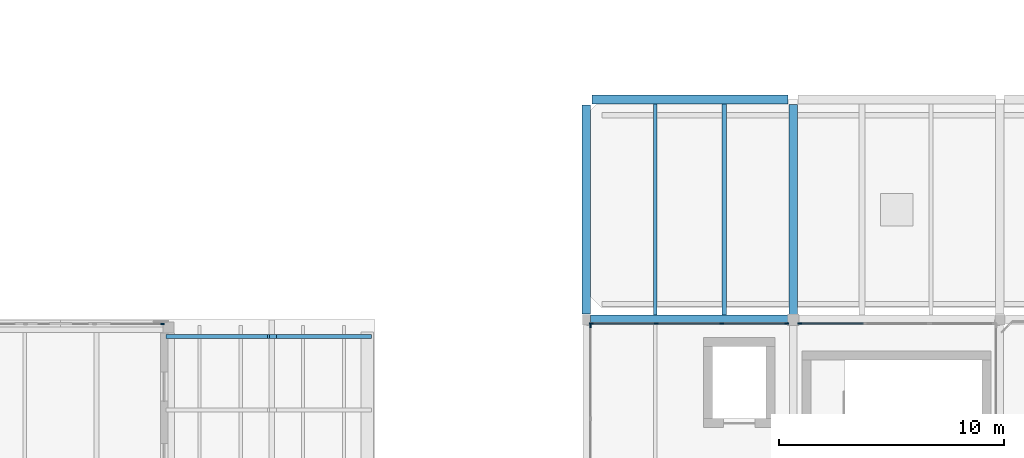
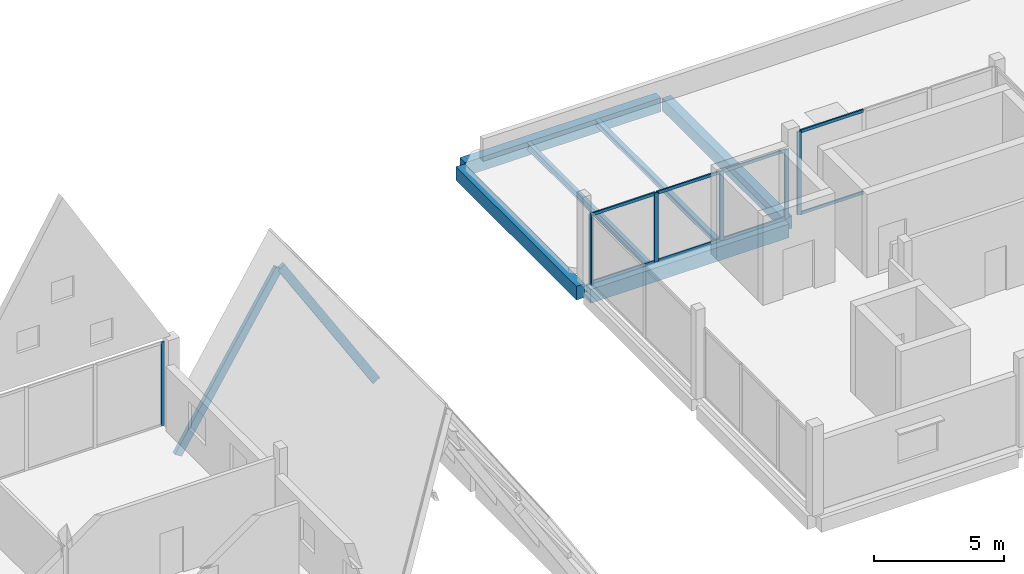
# One storey, part 8 of 23: 17 members, 6 beams, 4 elements without a shape of their own.
"""IFC4 building model written with IfcOpenShell, lengths in metres."""

from ifc_helpers import new_model, si_unit, direction, frame, origin, origin_2d, place, context, subcontext, project, spatial, rectangle, i_section, extrude, material, layer, layer_set, material_profile, profile_set, type_object, element, aggregate, save


model = new_model("IFC4")

# Units and contexts
model_context = context("Model", 3, precision=1e-05, world=origin(), true_north=direction((0.0, 1.0)))
body_context = subcontext(model_context, "Body", "Model", "MODEL_VIEW")
ifc_project = project(units=[si_unit("LENGTHUNIT", "METRE"), si_unit("AREAUNIT", "SQUARE_METRE"), si_unit("VOLUMEUNIT", "CUBIC_METRE"), si_unit("PLANEANGLEUNIT", "RADIAN"), si_unit("MASSUNIT", "GRAM", prefix="KILO")], contexts=[model_context])

# Site, building, storey
site_placement = place(None, origin())
site = spatial("IfcSite", under=ifc_project, at=site_placement, CompositionType="ELEMENT")
building_placement = place(site_placement, origin())
building = spatial("IfcBuilding", under=site, at=building_placement, Name="Birchvale Park Specialist Clinic", CompositionType="ELEMENT")
storey_placement = place(building_placement, frame((0.0, 0.0, 18.0)))
storey = spatial("IfcBuildingStorey", under=building, at=storey_placement, Name="L04", CompositionType="ELEMENT", Elevation=18.0)

# Beams
ifc_material_1 = material(Name="Concrete C40/50", Category="concrete")
ifc_material_profile_1 = material_profile(ifc_material_1, rectangle(XDim=0.3798828125, YDim=0.639892578125, at=origin_2d()), Name="RCB-380x640")
ifc_profile_set_1 = profile_set([ifc_material_profile_1], Name="Concrete C40/50")
beam_type_1 = type_object("IfcBeamType", Name="BM-EXT-BG5", PredefinedType="BEAM", material=ifc_profile_set_1)
beam_1_placement = place(storey_placement, frame((128.0, 34.85009765625, -0.594970703125), z_axis=(0.0, 1.0, 0.0), x_axis=(-1.0, 0.0, 0.0)))
element("IfcBeam", 1, at=beam_1_placement, inside=storey, type_object=beam_type_1, Name="V5 L04 Y girder 15", PredefinedType="BEAM", context=body_context, shape_type="SweptSolid", body=[
    extrude(rectangle(XDim=0.3798828125, YDim=0.639892578125, at=origin_2d()), origin(), (0.0, 0.0, 1.0), 9.2998046875),
])
ifc_material_profile_2 = material_profile(ifc_material_1, rectangle(XDim=0.39990234375, YDim=0.64990234375, at=origin_2d()), Name="RCB-400x650")
ifc_profile_set_2 = profile_set([ifc_material_profile_2], Name="Concrete C40/50")
beam_type_2 = type_object("IfcBeamType", Name="BM-INT-BG4", PredefinedType="BEAM", material=ifc_profile_set_2)
beam_2_placement = place(storey_placement, frame((128.175048828125, 34.60009765625, -0.60498046875), z_axis=(1.0, 0.0, 0.0), x_axis=(0.0, 1.0, 0.0)))
element("IfcBeam", 2, at=beam_2_placement, inside=storey, type_object=beam_type_2, Name="V5 L04 X girder 7", PredefinedType="BEAM", context=body_context, shape_type="SweptSolid", body=[
    extrude(rectangle(XDim=0.39990234375, YDim=0.64990234375, at=origin_2d()), origin(), (0.0, 0.0, 1.0), 8.849853515625),
])
beam_3_placement = place(storey_placement, frame((128.25, 44.39990234375, -0.60009765625), z_axis=(1.0, 0.0, 0.0), x_axis=(0.0, 1.0, 0.0)))
element("IfcBeam", 3, at=beam_3_placement, inside=storey, type_object=beam_type_2, Name="V5 L04 X girder 10", PredefinedType="BEAM", context=body_context, shape_type="SweptSolid", body=[
    extrude(rectangle(XDim=0.39990234375, YDim=0.64990234375, at=origin_2d()), origin(), (0.0, 0.0, 1.0), 8.72509765625),
])
ifc_material_profile_3 = material_profile(ifc_material_1, rectangle(XDim=0.3798828125, YDim=0.60009765625, at=origin_2d()), Name="RCB-380x600")
ifc_profile_set_3 = profile_set([ifc_material_profile_3], Name="Concrete C40/50")
beam_type_3 = type_object("IfcBeamType", Name="BM-INT-BG5", PredefinedType="BEAM", material=ifc_profile_set_3)
beam_4_placement = place(storey_placement, frame((137.199951171875, 34.824951171875, -0.574951171875), z_axis=(0.0, 1.0, 0.0), x_axis=(-1.0, 0.0, 0.0)))
element("IfcBeam", 4, at=beam_4_placement, inside=storey, type_object=beam_type_3, Name="V5 L04 Y girder 18", PredefinedType="BEAM", context=body_context, shape_type="SweptSolid", body=[
    extrude(rectangle(XDim=0.3798828125, YDim=0.60009765625, at=origin_2d()), origin(), (0.0, 0.0, 1.0), 9.35009765625),
])

# Curtain wall, member
ifc_material_2 = material(Name="Thermally broken anodised aluminium", Category="aluminium")
ifc_layer_1 = layer(ifc_material_2, 0.179931640625)
ifc_layer_set_1 = layer_set([ifc_layer_1], Name="Thermally broken anodised aluminium")
curtain_wall_type_1 = type_object("IfcCurtainWallType", Name="CW-U1", PredefinedType="USERDEFINED", material=ifc_layer_set_1)
curtain_wall_1_placement = place(storey_placement, origin())
curtain_wall_1 = element("IfcCurtainWall", 5, at=curtain_wall_1_placement, inside=storey, type_object=curtain_wall_type_1, Name="V4 L04 glazed curtain wall 139", ObjectType="UNITISED", PredefinedType="USERDEFINED")
ifc_material_profile_4 = material_profile(ifc_material_2, rectangle(XDim=0.06005859375, YDim=0.159912109375, at=origin_2d()), Name="CWM-60x160")
ifc_profile_set_4 = profile_set([ifc_material_profile_4], Name="Thermally broken anodised aluminium")
member_type_1 = type_object("IfcMemberType", Name="CWM1", PredefinedType="MULLION", material=ifc_profile_set_4)
member_1_placement = place(storey_placement, frame((109.1298828125, 34.409912109375, 0.0), z_axis=(0.0, 0.0, 1.0), x_axis=(0.0, -1.0, 0.0)))
member_1 = element("IfcMember", 6, at=member_1_placement, type_object=member_type_1, Name="CW mullion 1", PredefinedType="MULLION", context=body_context, shape_type="SweptSolid", body=[
    extrude(rectangle(XDim=0.06005859375, YDim=0.159912109375, at=origin_2d()), origin(), (0.0, 0.0, 1.0), 3.93994140625),
])
aggregate(curtain_wall_1, [member_1])

ifc_layer_2 = layer(ifc_material_2, 0.195068359375)
ifc_layer_set_2 = layer_set([ifc_layer_2], Name="Thermally broken anodised aluminium")
curtain_wall_type_2 = type_object("IfcCurtainWallType", Name="CW-U2", PredefinedType="USERDEFINED", material=ifc_layer_set_2)
curtain_wall_2_placement = place(storey_placement, origin())
curtain_wall_2 = element("IfcCurtainWall", 7, at=curtain_wall_2_placement, inside=storey, type_object=curtain_wall_type_2, Name="V5 L04 glazed curtain wall 141", ObjectType="UNITISED", PredefinedType="USERDEFINED")
ifc_material_profile_5 = material_profile(ifc_material_2, rectangle(XDim=0.06494140625, YDim=0.179931640625, at=origin_2d()), Name="CWM-65x180")
ifc_profile_set_5 = profile_set([ifc_material_profile_5], Name="Thermally broken anodised aluminium")
member_type_2 = type_object("IfcMemberType", Name="CWM2", PredefinedType="MULLION", material=ifc_profile_set_5)
member_2_placement = place(storey_placement, frame((137.482421875, 34.425048828125, 0.0), z_axis=(0.0, 0.0, 1.0), x_axis=(0.0, -1.0, 0.0)))
member_2 = element("IfcMember", 8, at=member_2_placement, type_object=member_type_2, Name="CW mullion 4", PredefinedType="MULLION", context=body_context, shape_type="SweptSolid", body=[
    extrude(rectangle(XDim=0.06494140625, YDim=0.179931640625, at=origin_2d()), origin(), (0.0, 0.0, 1.0), 3.919921875),
])

# Curtain wall, members
curtain_wall_3_placement = place(storey_placement, origin())
curtain_wall_3 = element("IfcCurtainWall", 9, at=curtain_wall_3_placement, inside=storey, type_object=curtain_wall_type_2, Name="V5 L04 glazed curtain wall 142", ObjectType="UNITISED", PredefinedType="USERDEFINED")
member_3_placement = place(storey_placement, frame((136.91748046875, 34.425048828125, 0.0), z_axis=(0.0, 0.0, 1.0), x_axis=(0.0, -1.0, 0.0)))
member_3 = element("IfcMember", 10, at=member_3_placement, type_object=member_type_2, Name="CW mullion 1", PredefinedType="MULLION", context=body_context, shape_type="SweptSolid", body=[
    extrude(rectangle(XDim=0.06494140625, YDim=0.179931640625, at=origin_2d()), origin(), (0.0, 0.0, 1.0), 3.260009765625),
])
member_4_placement = place(storey_placement, frame((134.02490234375, 34.425048828125, 0.0), z_axis=(0.0, 0.0, 1.0), x_axis=(0.0, -1.0, 0.0)))
member_4 = element("IfcMember", 11, at=member_4_placement, type_object=member_type_2, Name="CW mullion 2", PredefinedType="MULLION", context=body_context, shape_type="SweptSolid", body=[
    extrude(rectangle(XDim=0.06494140625, YDim=0.179931640625, at=origin_2d()), origin(), (0.0, 0.0, 1.0), 3.260009765625),
])
member_5_placement = place(storey_placement, frame((131.10009765625, 34.425048828125, 0.0), z_axis=(0.0, 0.0, 1.0), x_axis=(0.0, -1.0, 0.0)))
member_5 = element("IfcMember", 12, at=member_5_placement, type_object=member_type_2, Name="CW mullion 3", PredefinedType="MULLION", context=body_context, shape_type="SweptSolid", body=[
    extrude(rectangle(XDim=0.06494140625, YDim=0.179931640625, at=origin_2d()), origin(), (0.0, 0.0, 1.0), 3.260009765625),
])
member_6_placement = place(storey_placement, frame((128.20751953125, 34.425048828125, 0.0), z_axis=(0.0, 0.0, 1.0), x_axis=(0.0, -1.0, 0.0)))
member_6 = element("IfcMember", 13, at=member_6_placement, type_object=member_type_2, Name="CW mullion 4", PredefinedType="MULLION", context=body_context, shape_type="SweptSolid", body=[
    extrude(rectangle(XDim=0.06494140625, YDim=0.179931640625, at=origin_2d()), origin(), (0.0, 0.0, 1.0), 3.260009765625),
])

# Curtain wall, member
curtain_wall_4_placement = place(storey_placement, origin())
curtain_wall_4 = element("IfcCurtainWall", 14, at=curtain_wall_4_placement, inside=storey, type_object=curtain_wall_type_2, Name="V5 L04 glazed curtain wall 143", ObjectType="UNITISED", PredefinedType="USERDEFINED")
member_7_placement = place(storey_placement, frame((128.175048828125, 34.342529296875, 0.0), z_axis=(0.0, 0.0, 1.0), x_axis=(1.0, 0.0, 0.0)))
member_7 = element("IfcMember", 15, at=member_7_placement, type_object=member_type_2, Name="CW mullion 1", PredefinedType="MULLION", context=body_context, shape_type="SweptSolid", body=[
    extrude(rectangle(XDim=0.06494140625, YDim=0.179931640625, at=origin_2d()), origin(), (0.0, 0.0, 1.0), 3.3701171875),
])
aggregate(curtain_wall_4, [member_7])

# Member
ifc_material_profile_6 = material_profile(ifc_material_2, rectangle(XDim=0.06494140625, YDim=0.139892578125, at=origin_2d()), Name="CWT-65x140")
ifc_profile_set_6 = profile_set([ifc_material_profile_6], Name="Thermally broken anodised aluminium")
member_type_3 = type_object("IfcMemberType", Name="CWT2", PredefinedType="USERDEFINED", material=ifc_profile_set_6)
member_8_placement = place(storey_placement, frame((140.325927734375, 34.425048828125, 0.032470703125), z_axis=(-1.0, 0.0, 0.0), x_axis=(0.0, -1.0, 0.0)))
member_8 = element("IfcMember", 16, at=member_8_placement, type_object=member_type_3, Name="CW transom 3.1", ObjectType="TRANSOM", PredefinedType="USERDEFINED", context=body_context, shape_type="SweptSolid", body=[
    extrude(rectangle(XDim=0.06494140625, YDim=0.139892578125, at=origin_2d()), origin(), (0.0, 0.0, 1.0), 2.81103515625),
])

member_9_placement = place(storey_placement, frame((140.325927734375, 34.425048828125, 3.887451171875), z_axis=(-1.0, 0.0, 0.0), x_axis=(0.0, -1.0, 0.0)))
member_9 = element("IfcMember", 17, at=member_9_placement, type_object=member_type_3, Name="CW transom 3.2", ObjectType="TRANSOM", PredefinedType="USERDEFINED", context=body_context, shape_type="SweptSolid", body=[
    extrude(rectangle(XDim=0.06494140625, YDim=0.139892578125, at=origin_2d()), origin(), (0.0, 0.0, 1.0), 2.81103515625),
])

aggregate(curtain_wall_2, [member_2, member_8, member_9])

member_10_placement = place(storey_placement, frame((136.885009765625, 34.425048828125, 0.032470703125), z_axis=(-1.0, 0.0, 0.0), x_axis=(0.0, -1.0, 0.0)))
member_10 = element("IfcMember", 18, at=member_10_placement, type_object=member_type_3, Name="CW transom 1.1", ObjectType="TRANSOM", PredefinedType="USERDEFINED", context=body_context, shape_type="SweptSolid", body=[
    extrude(rectangle(XDim=0.06494140625, YDim=0.139892578125, at=origin_2d()), origin(), (0.0, 0.0, 1.0), 2.827392578125),
])

member_11_placement = place(storey_placement, frame((136.885009765625, 34.425048828125, 3.2275390625), z_axis=(-1.0, 0.0, 0.0), x_axis=(0.0, -1.0, 0.0)))
member_11 = element("IfcMember", 19, at=member_11_placement, type_object=member_type_3, Name="CW transom 1.2", ObjectType="TRANSOM", PredefinedType="USERDEFINED", context=body_context, shape_type="SweptSolid", body=[
    extrude(rectangle(XDim=0.06494140625, YDim=0.139892578125, at=origin_2d()), origin(), (0.0, 0.0, 1.0), 2.827392578125),
])

member_12_placement = place(storey_placement, frame((133.992431640625, 34.425048828125, 0.032470703125), z_axis=(-1.0, 0.0, 0.0), x_axis=(0.0, -1.0, 0.0)))
member_12 = element("IfcMember", 20, at=member_12_placement, type_object=member_type_3, Name="CW transom 2.1", ObjectType="TRANSOM", PredefinedType="USERDEFINED", context=body_context, shape_type="SweptSolid", body=[
    extrude(rectangle(XDim=0.06494140625, YDim=0.139892578125, at=origin_2d()), origin(), (0.0, 0.0, 1.0), 2.85986328125),
])

member_13_placement = place(storey_placement, frame((133.992431640625, 34.425048828125, 3.2275390625), z_axis=(-1.0, 0.0, 0.0), x_axis=(0.0, -1.0, 0.0)))
member_13 = element("IfcMember", 21, at=member_13_placement, type_object=member_type_3, Name="CW transom 2.2", ObjectType="TRANSOM", PredefinedType="USERDEFINED", context=body_context, shape_type="SweptSolid", body=[
    extrude(rectangle(XDim=0.06494140625, YDim=0.139892578125, at=origin_2d()), origin(), (0.0, 0.0, 1.0), 2.85986328125),
])

member_14_placement = place(storey_placement, frame((131.0673828125, 34.425048828125, 0.032470703125), z_axis=(-1.0, 0.0, 0.0), x_axis=(0.0, -1.0, 0.0)))
member_14 = element("IfcMember", 22, at=member_14_placement, type_object=member_type_3, Name="CW transom 3.1", ObjectType="TRANSOM", PredefinedType="USERDEFINED", context=body_context, shape_type="SweptSolid", body=[
    extrude(rectangle(XDim=0.06494140625, YDim=0.139892578125, at=origin_2d()), origin(), (0.0, 0.0, 1.0), 2.827392578125),
])

member_15_placement = place(storey_placement, frame((131.0673828125, 34.425048828125, 3.2275390625), z_axis=(-1.0, 0.0, 0.0), x_axis=(0.0, -1.0, 0.0)))
member_15 = element("IfcMember", 23, at=member_15_placement, type_object=member_type_3, Name="CW transom 3.2", ObjectType="TRANSOM", PredefinedType="USERDEFINED", context=body_context, shape_type="SweptSolid", body=[
    extrude(rectangle(XDim=0.06494140625, YDim=0.139892578125, at=origin_2d()), origin(), (0.0, 0.0, 1.0), 2.827392578125),
])

aggregate(curtain_wall_3, [member_3, member_4, member_5, member_6, member_10, member_11, member_12, member_13, member_14, member_15])

# Members
ifc_material_3 = material(Name="Glulam GL28h", Category="wood")
ifc_material_profile_7 = material_profile(ifc_material_3, rectangle(XDim=0.179931640625, YDim=0.360107421875, at=origin_2d()), Name="GL-180x360")
ifc_profile_set_7 = profile_set([ifc_material_profile_7], Name="Glulam GL28h")
member_type_4 = type_object("IfcMemberType", Name="MEM-GR1", PredefinedType="RAFTER", material=ifc_profile_set_7)
member_16_placement = place(storey_placement, frame((109.449951171875, 33.85009765625, -1.15087890625), z_axis=(0.527927420898, 0.0, 0.849289490259), x_axis=(0.0, 1.0, 0.0)))
element("IfcMember", 24, at=member_16_placement, inside=storey, type_object=member_type_4, Name="L04 glulam roof rafter V4-B7 W.6", PredefinedType="RAFTER", context=body_context, shape_type="SweptSolid", body=[
    extrude(rectangle(XDim=0.179931640625, YDim=0.360107421875, at=origin_2d()), origin(), (0.0, 0.0, 1.0), 8.52392578125),
])
member_17_placement = place(storey_placement, frame((114.050048828125, 33.85009765625, 6.08837890625), z_axis=(0.527937685149, 0.0, -0.849283109805), x_axis=(0.0, 1.0, 0.0)))
element("IfcMember", 25, at=member_17_placement, inside=storey, type_object=member_type_4, Name="L04 glulam roof rafter V4-B7 E.6", PredefinedType="RAFTER", context=body_context, shape_type="SweptSolid", body=[
    extrude(rectangle(XDim=0.179931640625, YDim=0.360107421875, at=origin_2d()), origin(), (0.0, 0.0, 1.0), 8.01220703125),
])

# Beams
ifc_material_4 = material(Name="Steel ASTM A992 Grade 50", Category="steel")
ifc_material_profile_8 = material_profile(ifc_material_4, i_section(OverallWidth=0.1669921875, OverallDepth=0.31689453125, WebThickness=0.007568359375, FlangeThickness=0.01318359375, at=origin_2d()), Name="W12X35")
ifc_profile_set_8 = profile_set([ifc_material_profile_8], Name="Steel ASTM A992 Grade 50")
beam_type_4 = type_object("IfcBeamType", Name="STL-INT-SJ3", PredefinedType="JOIST", material=ifc_profile_set_8)
beam_5_placement = place(storey_placement, frame((131.066650390625, 34.800048828125, -0.43359375), z_axis=(0.0, 1.0, 0.0), x_axis=(-1.0, 0.0, 0.0)))
element("IfcBeam", 26, at=beam_5_placement, inside=storey, type_object=beam_type_4, Name="V5 L04 secondary floor joist 3", PredefinedType="JOIST", context=body_context, shape_type="SweptSolid", body=[
    extrude(i_section(OverallWidth=0.1669921875, OverallDepth=0.31689453125, WebThickness=0.007568359375, FlangeThickness=0.01318359375, at=origin_2d()), origin(), (0.0, 0.0, 1.0), 9.39990234375),
])
ifc_material_profile_9 = material_profile(ifc_material_4, i_section(OverallWidth=0.202880859375, OverallDepth=0.251953125, WebThickness=0.008056640625, FlangeThickness=0.013427734375, at=origin_2d()), Name="W10X39")
ifc_profile_set_9 = profile_set([ifc_material_profile_9], Name="Steel ASTM A992 Grade 50")
beam_type_5 = type_object("IfcBeamType", Name="STL-INT-SJ4", PredefinedType="JOIST", material=ifc_profile_set_9)
beam_6_placement = place(storey_placement, frame((134.13330078125, 34.800048828125, -0.40087890625), z_axis=(0.0, 1.0, 0.0), x_axis=(-1.0, 0.0, 0.0)))
element("IfcBeam", 27, at=beam_6_placement, inside=storey, type_object=beam_type_5, Name="V5 L04 secondary floor joist 4", PredefinedType="JOIST", context=body_context, shape_type="SweptSolid", body=[
    extrude(i_section(OverallWidth=0.202880859375, OverallDepth=0.251953125, WebThickness=0.008056640625, FlangeThickness=0.013427734375, at=origin_2d()), origin(), (0.0, 0.0, 1.0), 9.39990234375),
])

save(model, "model.ifc")
